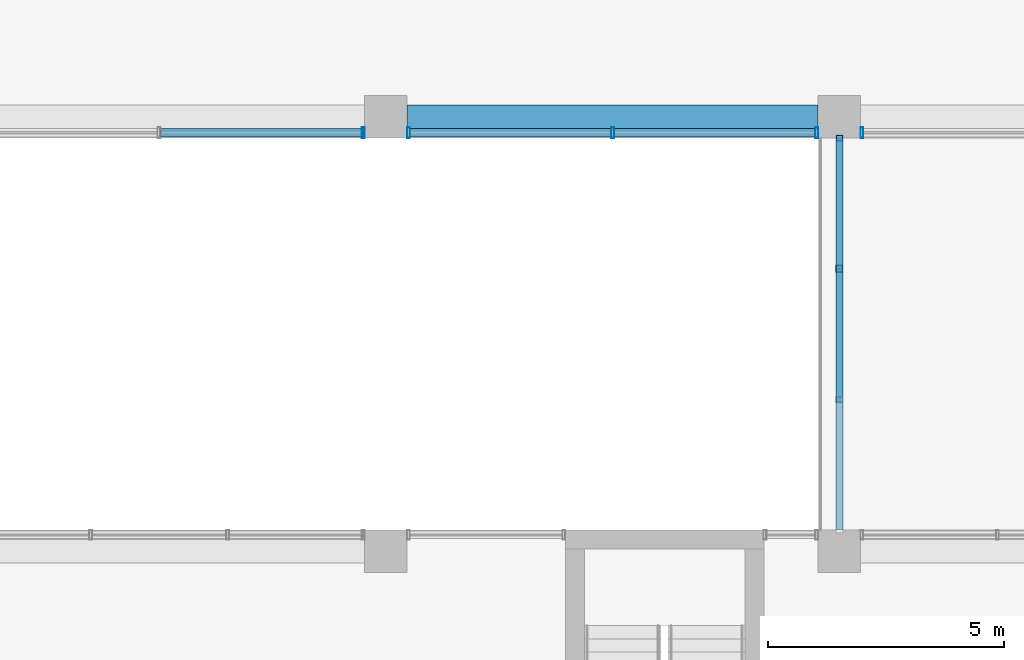
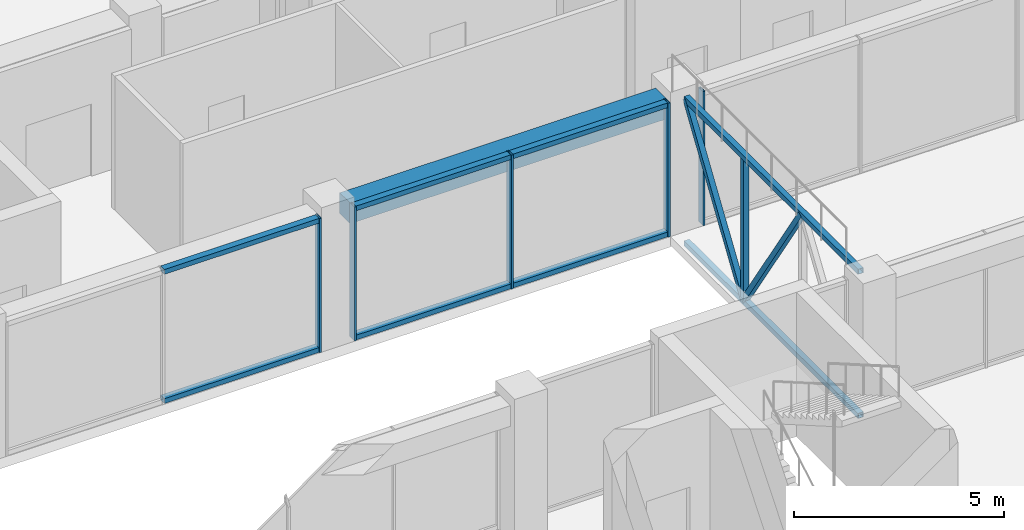
# One storey, part 10 of 38: 16 members, 1 beam, 3 elements without a shape of their own.
"""IFC4 building model written with IfcOpenShell, lengths in metres."""

from ifc_helpers import new_model, si_unit, direction, frame, origin, origin_2d, place, context, subcontext, project, spatial, rectangle, hollow_rectangle, extrude, material, layer, layer_set, material_profile, profile_set, type_object, element, aggregate, save


model = new_model("IFC4")

# Units and contexts
model_context = context("Model", 3, precision=1e-05, world=origin(), true_north=direction((0.0, 1.0)))
body_context = subcontext(model_context, "Body", "Model", "MODEL_VIEW")
ifc_project = project(units=[si_unit("LENGTHUNIT", "METRE"), si_unit("AREAUNIT", "SQUARE_METRE"), si_unit("VOLUMEUNIT", "CUBIC_METRE"), si_unit("PLANEANGLEUNIT", "RADIAN"), si_unit("MASSUNIT", "GRAM", prefix="KILO")], contexts=[model_context])

# Site, building, storey
site_placement = place(None, origin())
site = spatial("IfcSite", under=ifc_project, at=site_placement, CompositionType="ELEMENT")
building_placement = place(site_placement, origin())
building = spatial("IfcBuilding", under=site, at=building_placement, Name="Nzadi Deep Aquarium and Research Tower", CompositionType="ELEMENT")
storey_placement = place(building_placement, frame((0.0, 0.0, 65.5)))
storey = spatial("IfcBuildingStorey", under=building, at=storey_placement, Name="L13", CompositionType="ELEMENT", Elevation=65.5)

# Curtain wall, member
ifc_material_1 = material(Name="Aluminium unitised frame deep", Category="aluminium")
ifc_layer = layer(ifc_material_1, 0.22509765625)
ifc_layer_set = layer_set([ifc_layer], Name="Aluminium unitised frame deep")
curtain_wall_type = type_object("IfcCurtainWallType", Name="Curtain wall Unitised Deep 225", PredefinedType="NOTDEFINED", material=ifc_layer_set)
curtain_wall_1_placement = place(storey_placement, origin())
curtain_wall_1 = element("IfcCurtainWall", 1, at=curtain_wall_1_placement, inside=storey, type_object=curtain_wall_type, Name="Unitised curtain wall blade B south L13", PredefinedType="NOTDEFINED")
ifc_material_2 = material(Name="Aluminium unitised frame deep", Category="aluminium")
ifc_material_profile_1 = material_profile(ifc_material_2, hollow_rectangle(XDim=0.22509765625, YDim=0.06005859375, WallThickness=0.0048828125, at=origin_2d()))
ifc_profile_set_1 = profile_set([ifc_material_profile_1], Name="Aluminium unitised frame deep")
member_type_1 = type_object("IfcMemberType", Name="Mullion 60x225 Unitised Deep", PredefinedType="MULLION", material=ifc_profile_set_1)
member_1_placement = place(storey_placement, frame((18.719970703125, 27.262451171875, 0.0), z_axis=(0.0, 0.0, 1.0), x_axis=(0.0, 1.0, 0.0)))
member_1 = element("IfcMember", 2, at=member_1_placement, type_object=member_type_1, Name="CW165 mullion 3", PredefinedType="MULLION", context=body_context, shape_type="SweptSolid", body=[
    extrude(hollow_rectangle(XDim=0.22509765625, YDim=0.06005859375, WallThickness=0.0048828125, at=origin_2d()), origin(), (0.0, 0.0, 1.0), 3.89990234375),
])

# Curtain wall, members
curtain_wall_2_placement = place(storey_placement, origin())
curtain_wall_2 = element("IfcCurtainWall", 3, at=curtain_wall_2_placement, inside=storey, type_object=curtain_wall_type, Name="Unitised curtain wall blade B south L13", PredefinedType="NOTDEFINED")
member_2_placement = place(storey_placement, frame((19.679931640625, 27.262451171875, 0.0), z_axis=(0.0, 0.0, 1.0), x_axis=(0.0, 1.0, 0.0)))
member_2 = element("IfcMember", 4, at=member_2_placement, type_object=member_type_1, Name="CW166 mullion 1", PredefinedType="MULLION", context=body_context, shape_type="SweptSolid", body=[
    extrude(hollow_rectangle(XDim=0.22509765625, YDim=0.06005859375, WallThickness=0.0048828125, at=origin_2d()), origin(), (0.0, 0.0, 1.0), 3.89990234375),
])
member_3_placement = place(storey_placement, frame((24.0, 27.262451171875, 0.0), z_axis=(0.0, 0.0, 1.0), x_axis=(0.0, 1.0, 0.0)))
member_3 = element("IfcMember", 5, at=member_3_placement, type_object=member_type_1, Name="CW166 mullion 2", PredefinedType="MULLION", context=body_context, shape_type="SweptSolid", body=[
    extrude(hollow_rectangle(XDim=0.22509765625, YDim=0.06005859375, WallThickness=0.0048828125, at=origin_2d()), origin(), (0.0, 0.0, 1.0), 3.89990234375),
])
member_4_placement = place(storey_placement, frame((28.320068359375, 27.262451171875, 0.0), z_axis=(0.0, 0.0, 1.0), x_axis=(0.0, 1.0, 0.0)))
member_4 = element("IfcMember", 6, at=member_4_placement, type_object=member_type_1, Name="CW166 mullion 3", PredefinedType="MULLION", context=body_context, shape_type="SweptSolid", body=[
    extrude(hollow_rectangle(XDim=0.22509765625, YDim=0.06005859375, WallThickness=0.0048828125, at=origin_2d()), origin(), (0.0, 0.0, 1.0), 3.89990234375),
])

# Curtain wall, member
curtain_wall_3_placement = place(storey_placement, origin())
curtain_wall_3 = element("IfcCurtainWall", 7, at=curtain_wall_3_placement, inside=storey, type_object=curtain_wall_type, Name="Unitised curtain wall blade B south L13", PredefinedType="NOTDEFINED")
member_5_placement = place(storey_placement, frame((29.280029296875, 27.262451171875, 0.0), z_axis=(0.0, 0.0, 1.0), x_axis=(0.0, 1.0, 0.0)))
member_5 = element("IfcMember", 8, at=member_5_placement, type_object=member_type_1, Name="CW167 mullion 1", PredefinedType="MULLION", context=body_context, shape_type="SweptSolid", body=[
    extrude(hollow_rectangle(XDim=0.22509765625, YDim=0.06005859375, WallThickness=0.0048828125, at=origin_2d()), origin(), (0.0, 0.0, 1.0), 3.89990234375),
])
aggregate(curtain_wall_3, [member_5])

# Beam
ifc_material_3 = material(Name="Concrete C35/45", Category="concrete")
ifc_material_profile_2 = material_profile(ifc_material_3, rectangle(XDim=0.5, YDim=0.60009765625, at=origin_2d()))
ifc_profile_set_2 = profile_set([ifc_material_profile_2], Name="Concrete C35/45")
beam_type = type_object("IfcBeamType", Name="RC 500x600", PredefinedType="BEAM", material=ifc_profile_set_2)
beam_placement = place(storey_placement, frame((19.64990234375, 27.60009765625, 3.60009765625), z_axis=(1.0, 0.0, 0.0), x_axis=(0.0, 1.0, 0.0)))
element("IfcBeam", 9, at=beam_placement, inside=storey, type_object=beam_type, Name="B-Z1-L13-L4-3", PredefinedType="BEAM", context=body_context, shape_type="SweptSolid", body=[
    extrude(rectangle(XDim=0.5, YDim=0.60009765625, at=origin_2d()), origin(), (0.0, 0.0, 1.0), 8.7001953125),
])

# Members
ifc_material_4 = material(Name="Steel S355", Category="steel")
ifc_material_profile_3 = material_profile(ifc_material_4, hollow_rectangle(XDim=0.14990234375, YDim=0.14990234375, WallThickness=0.010009765625, at=origin_2d()))
ifc_profile_set_3 = profile_set([ifc_material_profile_3], Name="Steel S355")
member_type_2 = type_object("IfcMemberType", Name="RHS 150x150x10 brace", PredefinedType="BRACE", material=ifc_profile_set_3)
for number, where, z_axis, x_axis, name in (
    (10, (28.800048828125, 21.61669921875, 3.875), (0.0, 0.550098751185, -0.835099613187), (-1.0, 0.0, 0.0), "MB-BR-L13-T1-D2"),
    (11, (28.800048828125, 24.38330078125, -0.324951171875), (0.0, 0.550098751185, 0.835099613187), (-1.0, 0.0, 0.0), "MB-BR-L13-T1-D3"),
):
    element("IfcMember", number, at=place(storey_placement, frame(where, z_axis=z_axis, x_axis=x_axis)), inside=storey, type_object=member_type_2, Name=name, PredefinedType="BRACE", context=body_context, shape_type="SweptSolid", body=[
        extrude(hollow_rectangle(XDim=0.14990234375, YDim=0.14990234375, WallThickness=0.010009765625, at=origin_2d()), origin(), (0.0, 0.0, 1.0), 5.029296875),
    ])
ifc_material_5 = material(Name="Steel S355", Category="steel")
ifc_material_profile_4 = material_profile(ifc_material_5, hollow_rectangle(XDim=0.14990234375, YDim=0.14990234375, WallThickness=0.008056640625, at=origin_2d()))
ifc_profile_set_4 = profile_set([ifc_material_profile_4], Name="Steel S355")
member_type_3 = type_object("IfcMemberType", Name="RHS 150x150x8 chord", PredefinedType="CHORD", material=ifc_profile_set_4)
for number, where, z_axis, x_axis, name in (
    (12, (28.800048828125, 18.85009765625, -0.324951171875), (0.0, 1.0, 0.0), (-1.0, 0.0, 0.0), "MB-BR-L13-T1-BOT"),
    (13, (28.800048828125, 18.85009765625, 3.875), (0.0, 1.0, 0.0), (-1.0, 0.0, 0.0), "MB-BR-L13-T1-TOP"),
):
    element("IfcMember", number, at=place(storey_placement, frame(where, z_axis=z_axis, x_axis=x_axis)), inside=storey, type_object=member_type_3, Name=name, PredefinedType="CHORD", context=body_context, shape_type="SweptSolid", body=[
        extrude(hollow_rectangle(XDim=0.14990234375, YDim=0.14990234375, WallThickness=0.008056640625, at=origin_2d()), origin(), (0.0, 0.0, 1.0), 8.2998046875),
    ])
ifc_material_6 = material(Name="Steel S355", Category="steel")
ifc_material_profile_5 = material_profile(ifc_material_6, hollow_rectangle(XDim=0.14990234375, YDim=0.14990234375, WallThickness=0.008056640625, at=origin_2d()))
ifc_profile_set_5 = profile_set([ifc_material_profile_5], Name="Steel S355")
member_type_4 = type_object("IfcMemberType", Name="RHS 150x150x8 post", PredefinedType="POST", material=ifc_profile_set_5)
member_6_placement = place(storey_placement, frame((28.800048828125, 24.38330078125, -0.25), z_axis=(0.0, 0.0, 1.0), x_axis=(1.0, 0.0, 0.0)))
element("IfcMember", 14, at=member_6_placement, inside=storey, type_object=member_type_4, Name="MB-BR-L13-T1-V2", PredefinedType="POST", context=body_context, shape_type="SweptSolid", body=[
    extrude(hollow_rectangle(XDim=0.14990234375, YDim=0.14990234375, WallThickness=0.008056640625, at=origin_2d()), origin(), (0.0, 0.0, 1.0), 4.050048828125),
])

# Member
ifc_material_7 = material(Name="Aluminium unitised frame deep", Category="aluminium")
ifc_material_profile_6 = material_profile(ifc_material_7, hollow_rectangle(XDim=0.179931640625, YDim=0.139892578125, WallThickness=0.0048828125, at=origin_2d()))
ifc_profile_set_6 = profile_set([ifc_material_profile_6], Name="Aluminium unitised frame deep")
member_type_5 = type_object("IfcMemberType", Name="Transom 140x180 Unitised Deep", PredefinedType="MULLION", material=ifc_profile_set_6)
member_7_placement = place(storey_placement, frame((14.429931640625, 27.262451171875, 0.070068359375), z_axis=(1.0, 0.0, 0.0), x_axis=(0.0, 1.0, 0.0)))
member_7 = element("IfcMember", 15, at=member_7_placement, type_object=member_type_5, Name="CW165 transom 2.1", PredefinedType="MULLION", context=body_context, shape_type="SweptSolid", body=[
    extrude(hollow_rectangle(XDim=0.179931640625, YDim=0.139892578125, WallThickness=0.0048828125, at=origin_2d()), origin(), (0.0, 0.0, 1.0), 4.260009765625),
])

member_8_placement = place(storey_placement, frame((14.429931640625, 27.262451171875, 3.830078125), z_axis=(1.0, 0.0, 0.0), x_axis=(0.0, 1.0, 0.0)))
member_8 = element("IfcMember", 16, at=member_8_placement, type_object=member_type_5, Name="CW165 transom 2.2", PredefinedType="MULLION", context=body_context, shape_type="SweptSolid", body=[
    extrude(hollow_rectangle(XDim=0.179931640625, YDim=0.139892578125, WallThickness=0.0048828125, at=origin_2d()), origin(), (0.0, 0.0, 1.0), 4.260009765625),
])

aggregate(curtain_wall_1, [member_1, member_7, member_8])

member_9_placement = place(storey_placement, frame((19.7099609375, 27.262451171875, 0.070068359375), z_axis=(1.0, 0.0, 0.0), x_axis=(0.0, 1.0, 0.0)))
member_9 = element("IfcMember", 17, at=member_9_placement, type_object=member_type_5, Name="CW166 transom 1.1", PredefinedType="MULLION", context=body_context, shape_type="SweptSolid", body=[
    extrude(hollow_rectangle(XDim=0.179931640625, YDim=0.139892578125, WallThickness=0.0048828125, at=origin_2d()), origin(), (0.0, 0.0, 1.0), 4.260009765625),
])

member_10_placement = place(storey_placement, frame((19.7099609375, 27.262451171875, 3.830078125), z_axis=(1.0, 0.0, 0.0), x_axis=(0.0, 1.0, 0.0)))
member_10 = element("IfcMember", 18, at=member_10_placement, type_object=member_type_5, Name="CW166 transom 1.2", PredefinedType="MULLION", context=body_context, shape_type="SweptSolid", body=[
    extrude(hollow_rectangle(XDim=0.179931640625, YDim=0.139892578125, WallThickness=0.0048828125, at=origin_2d()), origin(), (0.0, 0.0, 1.0), 4.260009765625),
])

member_11_placement = place(storey_placement, frame((24.030029296875, 27.262451171875, 0.070068359375), z_axis=(1.0, 0.0, 0.0), x_axis=(0.0, 1.0, 0.0)))
member_11 = element("IfcMember", 19, at=member_11_placement, type_object=member_type_5, Name="CW166 transom 2.1", PredefinedType="MULLION", context=body_context, shape_type="SweptSolid", body=[
    extrude(hollow_rectangle(XDim=0.179931640625, YDim=0.139892578125, WallThickness=0.0048828125, at=origin_2d()), origin(), (0.0, 0.0, 1.0), 4.260009765625),
])

member_12_placement = place(storey_placement, frame((24.030029296875, 27.262451171875, 3.830078125), z_axis=(1.0, 0.0, 0.0), x_axis=(0.0, 1.0, 0.0)))
member_12 = element("IfcMember", 20, at=member_12_placement, type_object=member_type_5, Name="CW166 transom 2.2", PredefinedType="MULLION", context=body_context, shape_type="SweptSolid", body=[
    extrude(hollow_rectangle(XDim=0.179931640625, YDim=0.139892578125, WallThickness=0.0048828125, at=origin_2d()), origin(), (0.0, 0.0, 1.0), 4.260009765625),
])

aggregate(curtain_wall_2, [member_2, member_3, member_4, member_9, member_10, member_11, member_12])

save(model, "model.ifc")
